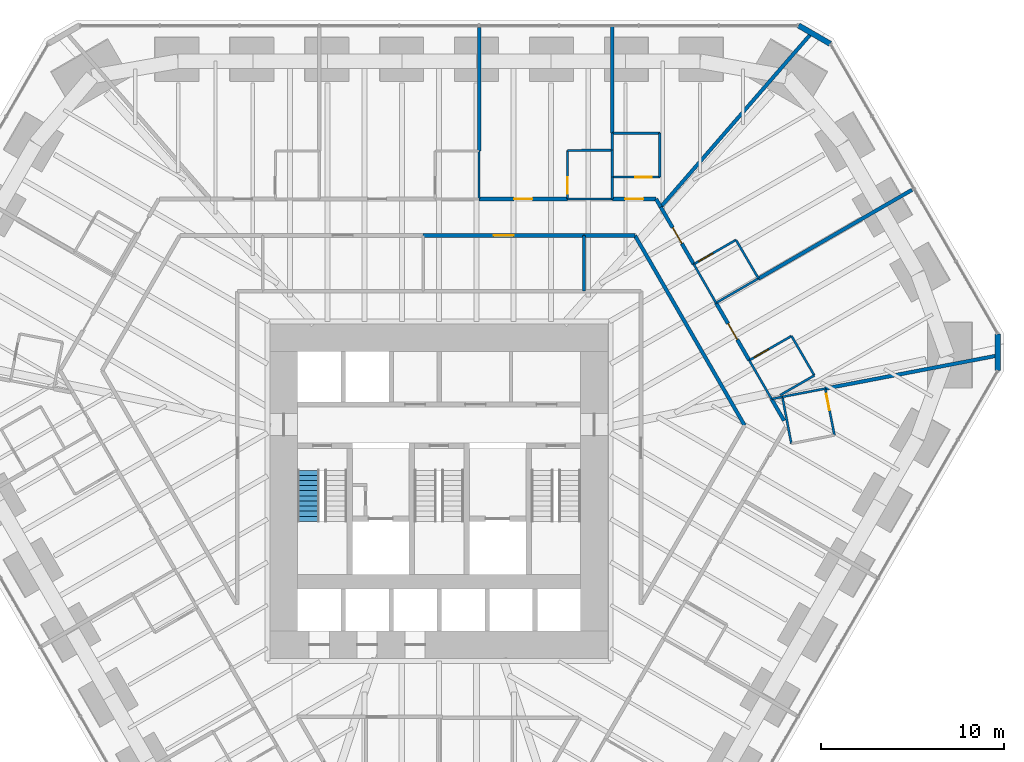
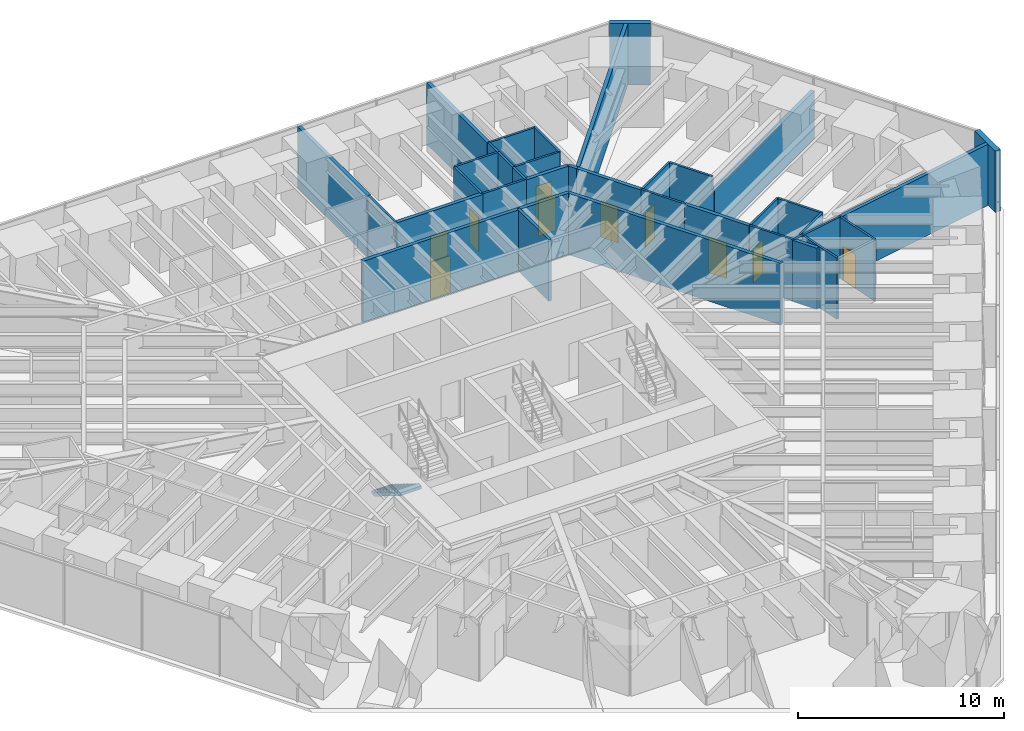
# One storey, part 15 of 17: 39 walls, 10 doors, 1 stair flight, 10 openings, 1 element without a shape of its own.
"""IFC4 building model written with IfcOpenShell, lengths in metres."""

from ifc_helpers import new_model, si_unit, direction, frame, frame_2d, origin, place, context, subcontext, project, spatial, polyline, rectangle, outline, extrude, material, layer, layer_set, type_object, element, fill, aggregate, save


model = new_model("IFC4")

# Units and contexts
model_context = context("Model", 3, precision=1e-05, world=origin(), true_north=direction((0.0, 1.0)))
body_context = subcontext(model_context, "Body", "Model", "MODEL_VIEW")
ifc_project = project(units=[si_unit("LENGTHUNIT", "METRE"), si_unit("AREAUNIT", "SQUARE_METRE"), si_unit("VOLUMEUNIT", "CUBIC_METRE"), si_unit("PLANEANGLEUNIT", "RADIAN"), si_unit("MASSUNIT", "GRAM", prefix="KILO")], contexts=[model_context])

# Site, building, storey
site_placement = place(None, origin())
site = spatial("IfcSite", under=ifc_project, at=site_placement, CompositionType="ELEMENT")
building_placement = place(site_placement, origin())
building = spatial("IfcBuilding", under=site, at=building_placement, Name="Sandreach Pilgrim Tower", CompositionType="ELEMENT")
storey_placement = place(building_placement, frame((0.0, 0.0, 72.39990234375)))
storey = spatial("IfcBuildingStorey", under=building, at=storey_placement, Name="L17", CompositionType="ELEMENT", Elevation=72.39990234375)

# Walls
ifc_material_1 = material(Name="Gypsum board on steel studs", Category="steel")
ifc_layer_1 = layer(ifc_material_1, 0.14990234375)
ifc_layer_set_1 = layer_set([ifc_layer_1], Name="Back of house wall 150")
wall_type_1 = type_object("IfcWallType", Name="Back of house wall 150", PredefinedType="PARTITIONING", material=ifc_layer_set_1)
wall_1_placement = place(storey_placement, frame((7.929931640625, 12.449951171875, 0.0), z_axis=(0.0, 0.0, 1.0), x_axis=(0.0, -1.0, 0.0)))
element("IfcWall", 1, at=wall_1_placement, inside=storey, type_object=wall_type_1, Name="Back of house wall L17-098", PredefinedType="PARTITIONING", context=body_context, shape_type="SweptSolid", body=[
    extrude(rectangle(XDim=3.050048828125, YDim=0.14990234375, at=frame_2d((1.52490234375, 0.0))), origin(), (0.0, 0.0, 1.0), 3.64013671875),
])
ifc_material_2 = material(Name="Moisture-resistant gypsum board on steel studs", Category="steel")
ifc_layer_2 = layer(ifc_material_2, 0.1201171875)
ifc_layer_set_2 = layer_set([ifc_layer_2], Name="Bathroom partition 120")
wall_type_2 = type_object("IfcWallType", Name="Bathroom partition 120", PredefinedType="PARTITIONING", material=ifc_layer_set_2)
wall_2_placement = place(storey_placement, frame((2.18994140625, 17.070068359375, 0.0), z_axis=(0.0, 0.0, 1.0), x_axis=(0.0, -1.0, 0.0)))
element("IfcWall", 2, at=wall_2_placement, inside=storey, type_object=wall_type_2, Name="Bathroom partition L17-079", PredefinedType="PARTITIONING", context=body_context, shape_type="SweptSolid", body=[
    extrude(rectangle(XDim=2.6201171875, YDim=0.1201171875, at=frame_2d((1.31005859375, 0.0))), origin(), (0.0, 0.0, 1.0), 3.64013671875),
])

# Wall, opening, door
wall_3_placement = place(storey_placement, frame((7.02001953125, 17.110107421875, 0.0), z_axis=(0.0, 0.0, 1.0), x_axis=(0.003762822113, -0.99999292056, 0.0)))
wall_3 = element("IfcWall", 3, at=wall_3_placement, inside=storey, type_object=wall_type_2, Name="Bathroom partition L17-090", PredefinedType="PARTITIONING", context=body_context, shape_type="SweptSolid", body=[
    extrude(rectangle(XDim=2.66015625, YDim=0.1201171875, at=frame_2d((1.330078125, 0.0))), origin(), (0.0, 0.0, 1.0), 3.64013671875),
])
opening_1_placement = place(wall_3_placement, frame((1.4599609375, 0.0, 0.0)))
opening_1 = element("IfcOpeningElement", 4, at=opening_1_placement, cuts=wall_3, Name="Opening D09-03B", PredefinedType="OPENING", context=body_context, shape_type="SweptSolid", body=[
    extrude(rectangle(XDim=0.89990234375, YDim=2.030029296875, at=frame_2d((0.449951171875, 1.01513671875))), frame((0.0, 0.06005859375, 0.0), z_axis=(0.0, -1.0, 0.0), x_axis=(1.0, 0.0, 0.0)), (0.0, 0.0, 1.0), 0.1201171875),
])
ifc_material_3 = material(Name="Timber door, steel frame", Category="steel")
door_type_1 = type_object("IfcDoorType", Name="Bathroom door", OperationType="SINGLE_SWING_LEFT", PredefinedType="DOOR", material=ifc_material_3)
door_1_placement = place(opening_1_placement, origin())
door_1 = element("IfcDoor", 5, at=door_1_placement, inside=storey, type_object=door_type_1, Name="Door 1703B", OperationType="SINGLE_SWING_RIGHT", OverallHeight=2.030029296875, OverallWidth=0.89990234375, PredefinedType="DOOR", context=body_context, shape_type="SweptSolid", body=[
    extrude(rectangle(XDim=0.89990234375, YDim=2.030029296875, at=frame_2d((0.449951171875, 1.01513671875))), frame((0.0, 0.02490234375, 0.0), z_axis=(0.0, -1.0, 0.0), x_axis=(1.0, 0.0, 0.0)), (0.0, 0.0, 1.0), 0.050048828125),
])
fill(opening_1, door_1)

# Walls
wall_4_placement = place(storey_placement, frame((9.47998046875, 14.449951171875, 0.0), z_axis=(0.0, 0.0, 1.0), x_axis=(-1.0, 0.0, 0.0)))
element("IfcWall", 6, at=wall_4_placement, inside=storey, type_object=wall_type_2, Name="Bathroom partition L17-103", PredefinedType="PARTITIONING", context=body_context, shape_type="SweptSolid", body=[
    extrude(rectangle(XDim=2.449951171875, YDim=0.1201171875, at=frame_2d((1.22509765625, 0.0))), origin(), (0.0, 0.0, 1.0), 3.64013671875),
])
wall_5_placement = place(storey_placement, frame((9.47998046875, 15.64990234375, 0.0), z_axis=(0.0, 0.0, 1.0), x_axis=(0.0, -1.0, 0.0)))
element("IfcWall", 7, at=wall_5_placement, inside=storey, type_object=wall_type_2, Name="Bathroom partition L17-104", PredefinedType="PARTITIONING", context=body_context, shape_type="SweptSolid", body=[
    extrude(rectangle(XDim=1.199951171875, YDim=0.1201171875, at=frame_2d((0.60009765625, 0.0))), origin(), (0.0, 0.0, 1.0), 3.64013671875),
])

# Wall, opening, door
wall_6_placement = place(storey_placement, frame((9.47998046875, 15.64990234375, 0.0), z_axis=(0.0, 0.0, 1.0), x_axis=(1.0, 0.0, 0.0)))
wall_6 = element("IfcWall", 8, at=wall_6_placement, inside=storey, type_object=wall_type_2, Name="Bathroom partition L17-105", PredefinedType="PARTITIONING", context=body_context, shape_type="SweptSolid", body=[
    extrude(rectangle(XDim=2.60009765625, YDim=0.1201171875, at=frame_2d((1.300048828125, 0.0))), origin(), (0.0, 0.0, 1.0), 3.64013671875),
])
opening_2_placement = place(wall_6_placement, frame((1.25, 0.0, 0.0)))
opening_2 = element("IfcOpeningElement", 9, at=opening_2_placement, cuts=wall_6, Name="Opening D09-04B", PredefinedType="OPENING", context=body_context, shape_type="SweptSolid", body=[
    extrude(rectangle(XDim=0.89990234375, YDim=2.030029296875, at=frame_2d((0.449951171875, 1.01513671875))), frame((0.0, 0.06005859375, 0.0), z_axis=(0.0, -1.0, 0.0), x_axis=(1.0, 0.0, 0.0)), (0.0, 0.0, 1.0), 0.1201171875),
])
door_2_placement = place(opening_2_placement, origin())
door_2 = element("IfcDoor", 10, at=door_2_placement, inside=storey, type_object=door_type_1, Name="Door 1704B", OperationType="SINGLE_SWING_RIGHT", OverallHeight=2.030029296875, OverallWidth=0.89990234375, PredefinedType="DOOR", context=body_context, shape_type="SweptSolid", body=[
    extrude(rectangle(XDim=0.89990234375, YDim=2.030029296875, at=frame_2d((0.449951171875, 1.01513671875))), frame((0.0, 0.02490234375, 0.0), z_axis=(0.0, -1.0, 0.0), x_axis=(1.0, 0.0, 0.0)), (0.0, 0.0, 1.0), 0.050048828125),
])
fill(opening_2, door_2)

# Walls
wall_7_placement = place(storey_placement, frame((9.47998046875, 17.1201171875, 0.0), z_axis=(0.0, 0.0, 1.0), x_axis=(-0.999991721417, -0.004069041344, 0.0)))
element("IfcWall", 11, at=wall_7_placement, inside=storey, type_object=wall_type_2, Name="Bathroom partition L17-106", PredefinedType="PARTITIONING", context=body_context, shape_type="SweptSolid", body=[
    extrude(rectangle(XDim=2.4599609375, YDim=0.1201171875, at=frame_2d((1.22998046875, 0.0))), origin(), (0.0, 0.0, 1.0), 3.64013671875),
])
wall_8_placement = place(storey_placement, frame((9.47998046875, 17.1201171875, 0.0), z_axis=(0.0, 0.0, 1.0), x_axis=(0.0, -1.0, 0.0)))
element("IfcWall", 12, at=wall_8_placement, inside=storey, type_object=wall_type_2, Name="Bathroom partition L17-107", PredefinedType="PARTITIONING", context=body_context, shape_type="SweptSolid", body=[
    extrude(rectangle(XDim=1.47021484375, YDim=0.1201171875, at=frame_2d((0.735107421875, 0.0))), origin(), (0.0, 0.0, 1.0), 3.64013671875),
])
wall_9_placement = place(storey_placement, frame((9.47998046875, 18.050048828125, 0.0), z_axis=(0.0, 0.0, 1.0), x_axis=(0.0, -1.0, 0.0)))
element("IfcWall", 13, at=wall_9_placement, inside=storey, type_object=wall_type_2, Name="Bathroom partition L17-108", PredefinedType="PARTITIONING", context=body_context, shape_type="SweptSolid", body=[
    extrude(rectangle(XDim=0.929931640625, YDim=0.1201171875, at=frame_2d((0.46484375, 0.0))), origin(), (0.0, 0.0, 1.0), 3.64013671875),
])
wall_10_placement = place(storey_placement, frame((12.080078125, 15.64990234375, 0.0), z_axis=(0.0, 0.0, 1.0), x_axis=(0.0, 1.0, 0.0)))
element("IfcWall", 14, at=wall_10_placement, inside=storey, type_object=wall_type_2, Name="Bathroom partition L17-122", PredefinedType="PARTITIONING", context=body_context, shape_type="SweptSolid", body=[
    extrude(rectangle(XDim=2.400146484375, YDim=0.1201171875, at=frame_2d((1.2001953125, 0.0))), origin(), (0.0, 0.0, 1.0), 3.64013671875),
])
wall_11_placement = place(storey_placement, frame((12.080078125, 18.050048828125, 0.0), z_axis=(0.0, 0.0, 1.0), x_axis=(-1.0, 0.0, 0.0)))
element("IfcWall", 15, at=wall_11_placement, inside=storey, type_object=wall_type_2, Name="Bathroom partition L17-123", PredefinedType="PARTITIONING", context=body_context, shape_type="SweptSolid", body=[
    extrude(rectangle(XDim=2.60009765625, YDim=0.1201171875, at=frame_2d((1.300048828125, 0.0))), origin(), (0.0, 0.0, 1.0), 3.64013671875),
])
wall_12_placement = place(storey_placement, frame((13.93994140625, 10.8798828125, 0.0), z_axis=(0.0, 0.0, 1.0), x_axis=(0.498791783817, -0.866721844883, 0.0)))
element("IfcWall", 16, at=wall_12_placement, inside=storey, type_object=wall_type_2, Name="Bathroom partition L17-128", PredefinedType="PARTITIONING", context=body_context, shape_type="SweptSolid", body=[
    extrude(rectangle(XDim=2.44580078125, YDim=0.1201171875, at=frame_2d((1.222900390625, 0.0))), origin(), (0.0, 0.0, 1.0), 3.64013671875),
])
wall_13_placement = place(storey_placement, frame((15.159912109375, 8.760009765625, 0.0), z_axis=(0.0, 0.0, 1.0), x_axis=(0.865929097586, 0.500166770141, 0.0)))
element("IfcWall", 17, at=wall_13_placement, inside=storey, type_object=wall_type_2, Name="Bathroom partition L17-132", PredefinedType="PARTITIONING", context=body_context, shape_type="SweptSolid", body=[
    extrude(rectangle(XDim=2.67919921875, YDim=0.1201171875, at=frame_2d((1.339599609375, 0.0))), origin(), (0.0, 0.0, 1.0), 2.8603515625),
])

# Wall, opening, door
wall_14_placement = place(storey_placement, frame((16.25, 12.2099609375, 0.0), z_axis=(0.0, 0.0, 1.0), x_axis=(-0.866654860089, -0.498908161372, 0.0)))
wall_14 = element("IfcWall", 18, at=wall_14_placement, inside=storey, type_object=wall_type_2, Name="Bathroom partition L17-134", PredefinedType="PARTITIONING", context=body_context, shape_type="SweptSolid", body=[
    extrude(rectangle(XDim=2.66552734375, YDim=0.1201171875, at=frame_2d((1.332763671875, 0.0))), origin(), (0.0, 0.0, 1.0), 3.64013671875),
])
opening_3_placement = place(wall_14_placement, frame((1.465576171875, 0.0, 0.0)))
opening_3 = element("IfcOpeningElement", 19, at=opening_3_placement, cuts=wall_14, Name="Opening D09-05B", PredefinedType="OPENING", context=body_context, shape_type="SweptSolid", body=[
    extrude(rectangle(XDim=0.89990234375, YDim=2.030029296875, at=frame_2d((0.449951171875, 1.01513671875))), frame((0.0, 0.06005859375, 0.0), z_axis=(0.0, -1.0, 0.0), x_axis=(1.0, 0.0, 0.0)), (0.0, 0.0, 1.0), 0.1201171875),
])
door_3_placement = place(opening_3_placement, origin())
door_3 = element("IfcDoor", 20, at=door_3_placement, inside=storey, type_object=door_type_1, Name="Door 1705B", OperationType="SINGLE_SWING_RIGHT", OverallHeight=2.030029296875, OverallWidth=0.89990234375, PredefinedType="DOOR", context=body_context, shape_type="SweptSolid", body=[
    extrude(rectangle(XDim=0.89990234375, YDim=2.030029296875, at=frame_2d((0.449951171875, 1.01513671875))), frame((0.0, 0.02490234375, 0.0), z_axis=(0.0, -1.0, 0.0), x_axis=(1.0, 0.0, 0.0)), (0.0, 0.0, 1.0), 0.050048828125),
])
fill(opening_3, door_3)

# Walls
wall_15_placement = place(storey_placement, frame((16.97802734375, 5.618896484375, 0.0), z_axis=(0.0, 0.0, 1.0), x_axis=(0.499489120551, -0.866320159324, 0.0)))
element("IfcWall", 21, at=wall_15_placement, inside=storey, type_object=wall_type_2, Name="Bathroom partition L17-137", PredefinedType="PARTITIONING", context=body_context, shape_type="SweptSolid", body=[
    extrude(rectangle(XDim=2.44580078125, YDim=0.1201171875, at=frame_2d((1.222900390625, 0.0))), origin(), (0.0, 0.0, 1.0), 3.64013671875),
])
wall_16_placement = place(storey_placement, frame((17.47998046875, 10.10009765625, 0.0), z_axis=(0.0, 0.0, 1.0), x_axis=(-0.503634814725, 0.863916647251, 0.0)))
element("IfcWall", 22, at=wall_16_placement, inside=storey, type_object=wall_type_2, Name="Bathroom partition L17-138", PredefinedType="PARTITIONING", context=body_context, shape_type="SweptSolid", body=[
    extrude(rectangle(XDim=2.442138671875, YDim=0.1201171875, at=frame_2d((1.22119140625, 0.0))), origin(), (0.0, 0.0, 1.0), 3.64013671875),
])
wall_17_placement = place(storey_placement, frame((18.234375, 3.507080078125, 0.0), z_axis=(0.0, 0.0, 1.0), x_axis=(0.979929535319, 0.199344189303, 0.0)))
element("IfcWall", 23, at=wall_17_placement, inside=storey, type_object=wall_type_2, Name="Bathroom partition L17-140", PredefinedType="PARTITIONING", context=body_context, shape_type="SweptSolid", body=[
    extrude(rectangle(XDim=0.567138671875, YDim=0.1201171875, at=frame_2d((0.28369140625, 0.0))), origin(), (0.0, 0.0, 1.0), 3.64013671875),
])
wall_18_placement = place(storey_placement, frame((18.67333984375, 3.714599609375, 0.0), z_axis=(0.0, 0.0, 1.0), x_axis=(0.866487294122, 0.499199127728, 0.0)))
element("IfcWall", 24, at=wall_18_placement, inside=storey, type_object=wall_type_2, Name="Bathroom partition L17-141", PredefinedType="PARTITIONING", context=body_context, shape_type="SweptSolid", body=[
    extrude(rectangle(XDim=2.154296875, YDim=0.1201171875, at=frame_2d((1.0771484375, 0.0))), origin(), (0.0, 0.0, 1.0), 3.64013671875),
])
wall_19_placement = place(storey_placement, frame((18.7900390625, 3.6201171875, 0.0), z_axis=(0.0, 0.0, 1.0), x_axis=(0.187985762814, -0.982171753299, 0.0)))
element("IfcWall", 25, at=wall_19_placement, inside=storey, type_object=wall_type_2, Name="Bathroom partition L17-142", PredefinedType="PARTITIONING", context=body_context, shape_type="SweptSolid", body=[
    extrude(rectangle(XDim=2.6064453125, YDim=0.1201171875, at=frame_2d((1.30322265625, 0.0))), origin(), (0.0, 0.0, 1.0), 3.64013671875),
])
wall_20_placement = place(storey_placement, frame((18.7900390625, 3.6201171875, 0.0), z_axis=(0.0, 0.0, 1.0), x_axis=(0.982156796014, 0.188063893512, 0.0)))
element("IfcWall", 26, at=wall_20_placement, inside=storey, type_object=wall_type_2, Name="Bathroom partition L17-143", PredefinedType="PARTITIONING", context=body_context, shape_type="SweptSolid", body=[
    extrude(rectangle(XDim=2.392578125, YDim=0.1201171875, at=frame_2d((1.1962890625, 0.0))), origin(), (0.0, 0.0, 1.0), 3.64013671875),
])

# Wall, opening, door
wall_21_placement = place(storey_placement, frame((19.2900390625, 6.949951171875, 0.0), z_axis=(0.0, 0.0, 1.0), x_axis=(-0.866654860089, -0.498908161372, 0.0)))
wall_21 = element("IfcWall", 27, at=wall_21_placement, inside=storey, type_object=wall_type_2, Name="Bathroom partition L17-145", PredefinedType="PARTITIONING", context=body_context, shape_type="SweptSolid", body=[
    extrude(rectangle(XDim=2.66552734375, YDim=0.1201171875, at=frame_2d((1.332763671875, 0.0))), origin(), (0.0, 0.0, 1.0), 3.64013671875),
])
opening_4_placement = place(wall_21_placement, frame((1.465576171875, 0.0, 0.0)))
opening_4 = element("IfcOpeningElement", 28, at=opening_4_placement, cuts=wall_21, Name="Opening D09-06B", PredefinedType="OPENING", context=body_context, shape_type="SweptSolid", body=[
    extrude(rectangle(XDim=0.89990234375, YDim=2.030029296875, at=frame_2d((0.449951171875, 1.01513671875))), frame((0.0, 0.06005859375, 0.0), z_axis=(0.0, -1.0, 0.0), x_axis=(1.0, 0.0, 0.0)), (0.0, 0.0, 1.0), 0.1201171875),
])
door_4_placement = place(opening_4_placement, origin())
door_4 = element("IfcDoor", 29, at=door_4_placement, inside=storey, type_object=door_type_1, Name="Door 1706B", OperationType="SINGLE_SWING_RIGHT", OverallHeight=2.030029296875, OverallWidth=0.89990234375, PredefinedType="DOOR", context=body_context, shape_type="SweptSolid", body=[
    extrude(rectangle(XDim=0.89990234375, YDim=2.030029296875, at=frame_2d((0.449951171875, 1.01513671875))), frame((0.0, 0.02490234375, 0.0), z_axis=(0.0, -1.0, 0.0), x_axis=(1.0, 0.0, 0.0)), (0.0, 0.0, 1.0), 0.050048828125),
])
fill(opening_4, door_4)

# Wall
wall_22_placement = place(storey_placement, frame((20.5400390625, 4.7900390625, 0.0), z_axis=(0.0, 0.0, 1.0), x_axis=(-0.500893576935, 0.865508881864, 0.0)))
element("IfcWall", 30, at=wall_22_placement, inside=storey, type_object=wall_type_2, Name="Bathroom partition L17-147", PredefinedType="PARTITIONING", context=body_context, shape_type="SweptSolid", body=[
    extrude(rectangle(XDim=2.49560546875, YDim=0.1201171875, at=frame_2d((1.247802734375, 0.0))), origin(), (0.0, 0.0, 1.0), 3.64013671875),
])

# Wall, opening, door
wall_23_placement = place(storey_placement, frame((21.639892578125, 1.52001953125, 0.0), z_axis=(0.0, 0.0, 1.0), x_axis=(-0.192410912787, 0.981314445344, 0.0)))
wall_23 = element("IfcWall", 31, at=wall_23_placement, inside=storey, type_object=wall_type_2, Name="Bathroom partition L17-149", PredefinedType="PARTITIONING", context=body_context, shape_type="SweptSolid", body=[
    extrude(rectangle(XDim=2.5986328125, YDim=0.1201171875, at=frame_2d((1.29931640625, 0.0))), origin(), (0.0, 0.0, 1.0), 3.64013671875),
])
opening_5_placement = place(wall_23_placement, frame((1.398681640625, 0.0, 0.0)))
opening_5 = element("IfcOpeningElement", 32, at=opening_5_placement, cuts=wall_23, Name="Opening D09-07B", PredefinedType="OPENING", context=body_context, shape_type="SweptSolid", body=[
    extrude(rectangle(XDim=0.89990234375, YDim=2.030029296875, at=frame_2d((0.449951171875, 1.01513671875))), frame((0.0, 0.06005859375, 0.0), z_axis=(0.0, -1.0, 0.0), x_axis=(1.0, 0.0, 0.0)), (0.0, 0.0, 1.0), 0.1201171875),
])
door_5_placement = place(opening_5_placement, origin())
door_5 = element("IfcDoor", 33, at=door_5_placement, inside=storey, type_object=door_type_1, Name="Door 1707B", OperationType="SINGLE_SWING_RIGHT", OverallHeight=2.030029296875, OverallWidth=0.89990234375, PredefinedType="DOOR", context=body_context, shape_type="SweptSolid", body=[
    extrude(rectangle(XDim=0.89990234375, YDim=2.030029296875, at=frame_2d((0.449951171875, 1.01513671875))), frame((0.0, 0.02490234375, 0.0), z_axis=(0.0, -1.0, 0.0), x_axis=(1.0, 0.0, 0.0)), (0.0, 0.0, 1.0), 0.050048828125),
])
fill(opening_5, door_5)

ifc_material_4 = material(Name="Gypsum board on steel studs, two layers each side", Category="steel")
ifc_layer_3 = layer(ifc_material_4, 0.199951171875)
ifc_layer_set_3 = layer_set([ifc_layer_3], Name="Corridor wall 200")
wall_type_3 = type_object("IfcWallType", Name="Corridor wall 200", PredefinedType="PARTITIONING", material=ifc_layer_set_3)
wall_24_placement = place(storey_placement, frame((-0.8701171875, 12.449951171875, 0.0), z_axis=(0.0, 0.0, 1.0), x_axis=(1.0, 0.0, 0.0)))
wall_24 = element("IfcWall", 34, at=wall_24_placement, inside=storey, type_object=wall_type_3, Name="Corridor wall L17-065", PredefinedType="PARTITIONING", context=body_context, shape_type="SweptSolid", body=[
    extrude(rectangle(XDim=8.800048828125, YDim=0.199951171875, at=frame_2d((4.39990234375, 0.0))), origin(), (0.0, 0.0, 1.0), 3.64013671875),
])
opening_6_placement = place(wall_24_placement, frame((3.85009765625, 0.0, 0.0)))
opening_6 = element("IfcOpeningElement", 35, at=opening_6_placement, cuts=wall_24, Name="Opening D11H-M03", PredefinedType="OPENING", context=body_context, shape_type="SweptSolid", body=[
    extrude(rectangle(XDim=1.10009765625, YDim=2.199951171875, at=frame_2d((0.550048828125, 1.10009765625))), frame((0.0, 0.10009765625, 0.0), z_axis=(0.0, -1.0, 0.0), x_axis=(1.0, 0.0, 0.0)), (0.0, 0.0, 1.0), 0.199951171875),
])
ifc_material_5 = material(Name="Steel door and frame", Category="steel")
door_type_2 = type_object("IfcDoorType", Name="Back of house door", OperationType="SINGLE_SWING_LEFT", PredefinedType="DOOR", material=ifc_material_5)
door_6_placement = place(opening_6_placement, origin())
door_6 = element("IfcDoor", 36, at=door_6_placement, inside=storey, type_object=door_type_2, Name="Door 17M03", OperationType="SINGLE_SWING_LEFT", OverallHeight=2.199951171875, OverallWidth=1.10009765625, PredefinedType="DOOR", context=body_context, shape_type="SweptSolid", body=[
    extrude(rectangle(XDim=1.10009765625, YDim=2.199951171875, at=frame_2d((0.550048828125, 1.10009765625))), frame((0.0, 0.02490234375, 0.0), z_axis=(0.0, -1.0, 0.0), x_axis=(1.0, 0.0, 0.0)), (0.0, 0.0, 1.0), 0.050048828125),
])
fill(opening_6, door_6)

wall_25_placement = place(storey_placement, frame((7.030029296875, 14.449951171875, 0.0), z_axis=(0.0, 0.0, 1.0), x_axis=(-1.0, 0.0, 0.0)))
wall_25 = element("IfcWall", 37, at=wall_25_placement, inside=storey, type_object=wall_type_3, Name="Corridor wall L17-091", PredefinedType="PARTITIONING", context=body_context, shape_type="SweptSolid", body=[
    extrude(rectangle(XDim=4.840087890625, YDim=0.199951171875, at=frame_2d((2.419921875, 0.0))), origin(), (0.0, 0.0, 1.0), 3.64013671875),
])
opening_7_placement = place(wall_25_placement, frame((1.919921875, 0.0, 0.0)))
opening_7 = element("IfcOpeningElement", 38, at=opening_7_placement, cuts=wall_25, Name="Opening D10-03", PredefinedType="OPENING", context=body_context, shape_type="SweptSolid", body=[
    extrude(rectangle(XDim=1.0, YDim=2.1298828125, at=frame_2d((0.5, 1.06494140625))), frame((0.0, 0.10009765625, 0.0), z_axis=(0.0, -1.0, 0.0), x_axis=(1.0, 0.0, 0.0)), (0.0, 0.0, 1.0), 0.199951171875),
])
ifc_material_6 = material(Name="Steel door and frame", Category="steel")
door_type_3 = type_object("IfcDoorType", Name="Guest room entry door", OperationType="SINGLE_SWING_LEFT", PredefinedType="DOOR", material=ifc_material_6)
door_7_placement = place(opening_7_placement, origin())
door_7 = element("IfcDoor", 39, at=door_7_placement, inside=storey, type_object=door_type_3, Name="Door 1703", OperationType="SINGLE_SWING_LEFT", OverallHeight=2.1298828125, OverallWidth=1.0, PredefinedType="DOOR", context=body_context, shape_type="SweptSolid", body=[
    extrude(rectangle(XDim=1.0, YDim=2.1298828125, at=frame_2d((0.5, 1.06494140625))), frame((0.0, 0.02490234375, 0.0), z_axis=(0.0, -1.0, 0.0), x_axis=(1.0, 0.0, 0.0)), (0.0, 0.0, 1.0), 0.050048828125),
])
fill(opening_7, door_7)

# Walls
wall_26_placement = place(storey_placement, frame((7.929931640625, 12.449951171875, 0.0), z_axis=(0.0, 0.0, 1.0), x_axis=(1.0, 0.0, 0.0)))
element("IfcWall", 40, at=wall_26_placement, inside=storey, type_object=wall_type_3, Name="Corridor wall L17-099", PredefinedType="PARTITIONING", context=body_context, shape_type="SweptSolid", body=[
    extrude(rectangle(XDim=2.7900390625, YDim=0.199951171875, at=frame_2d((1.39501953125, 0.0))), origin(), (0.0, 0.0, 1.0), 3.64013671875),
])
wall_27_placement = place(storey_placement, frame((10.719970703125, 12.449951171875, 0.0), z_axis=(0.0, 0.0, 1.0), x_axis=(0.500087057827, -0.86597513509, 0.0)))
element("IfcWall", 41, at=wall_27_placement, inside=storey, type_object=wall_type_3, Name="Corridor wall L17-115", PredefinedType="PARTITIONING", context=body_context, shape_type="SweptSolid", body=[
    extrude(rectangle(XDim=11.997802734375, YDim=0.199951171875, at=frame_2d((5.9990234375, 0.0))), origin(), (0.0, 0.0, 1.0), 3.64013671875),
])

# Wall, opening, door
wall_28_placement = place(storey_placement, frame((11.8798828125, 14.449951171875, 0.0), z_axis=(0.0, 0.0, 1.0), x_axis=(-1.0, 0.0, 0.0)))
wall_28 = element("IfcWall", 42, at=wall_28_placement, inside=storey, type_object=wall_type_3, Name="Corridor wall L17-120", PredefinedType="PARTITIONING", context=body_context, shape_type="SweptSolid", body=[
    extrude(rectangle(XDim=2.39990234375, YDim=0.199951171875, at=frame_2d((1.199951171875, 0.0))), origin(), (0.0, 0.0, 1.0), 3.64013671875),
])
opening_8_placement = place(wall_28_placement, frame((0.699951171875, 0.0, 0.0)))
opening_8 = element("IfcOpeningElement", 43, at=opening_8_placement, cuts=wall_28, Name="Opening D10-04", PredefinedType="OPENING", context=body_context, shape_type="SweptSolid", body=[
    extrude(rectangle(XDim=1.0, YDim=2.1298828125, at=frame_2d((0.5, 1.06494140625))), frame((0.0, 0.10009765625, 0.0), z_axis=(0.0, -1.0, 0.0), x_axis=(1.0, 0.0, 0.0)), (0.0, 0.0, 1.0), 0.199951171875),
])
door_8_placement = place(opening_8_placement, origin())
door_8 = element("IfcDoor", 44, at=door_8_placement, inside=storey, type_object=door_type_3, Name="Door 1704", OperationType="SINGLE_SWING_LEFT", OverallHeight=2.1298828125, OverallWidth=1.0, PredefinedType="DOOR", context=body_context, shape_type="SweptSolid", body=[
    extrude(rectangle(XDim=1.0, YDim=2.1298828125, at=frame_2d((0.5, 1.06494140625))), frame((0.0, 0.02490234375, 0.0), z_axis=(0.0, -1.0, 0.0), x_axis=(1.0, 0.0, 0.0)), (0.0, 0.0, 1.0), 0.050048828125),
])
fill(opening_8, door_8)

# Wall
wall_29_placement = place(storey_placement, frame((11.8798828125, 14.449951171875, 0.0), z_axis=(0.0, 0.0, 1.0), x_axis=(0.494423721727, -0.869221021026, 0.0)))
element("IfcWall", 45, at=wall_29_placement, inside=storey, type_object=wall_type_3, Name="Corridor wall L17-121", PredefinedType="PARTITIONING", context=body_context, shape_type="SweptSolid", body=[
    extrude(rectangle(XDim=0.506103515625, YDim=0.199951171875, at=frame_2d((0.2529296875, 0.0))), origin(), (0.0, 0.0, 1.0), 3.64013671875),
])

# Wall, opening, door
wall_30_placement = place(storey_placement, frame((12.1298828125, 14.010009765625, 0.0), z_axis=(0.0, 0.0, 1.0), x_axis=(0.500597042564, -0.865680426587, 0.0)))
wall_30 = element("IfcWall", 46, at=wall_30_placement, inside=storey, type_object=wall_type_3, Name="Corridor wall L17-124", PredefinedType="PARTITIONING", context=body_context, shape_type="SweptSolid", body=[
    extrude(rectangle(XDim=3.61572265625, YDim=0.199951171875, at=frame_2d((1.807861328125, 0.0))), origin(), (0.0, 0.0, 1.0), 3.64013671875),
])
opening_9_placement = place(wall_30_placement, frame((1.307861328125, 0.0, 0.0)))
opening_9 = element("IfcOpeningElement", 47, at=opening_9_placement, cuts=wall_30, Name="Opening D10-05", PredefinedType="OPENING", context=body_context, shape_type="SweptSolid", body=[
    extrude(rectangle(XDim=1.0, YDim=2.1298828125, at=frame_2d((0.5, 1.06494140625))), frame((0.0, 0.10009765625, 0.0), z_axis=(0.0, -1.0, 0.0), x_axis=(1.0, 0.0, 0.0)), (0.0, 0.0, 1.0), 0.199951171875),
])
door_9_placement = place(opening_9_placement, origin())
door_9 = element("IfcDoor", 48, at=door_9_placement, inside=storey, type_object=door_type_3, Name="Door 1705", OperationType="SINGLE_SWING_LEFT", OverallHeight=2.1298828125, OverallWidth=1.0, PredefinedType="DOOR", context=body_context, shape_type="SweptSolid", body=[
    extrude(rectangle(XDim=1.0, YDim=2.1298828125, at=frame_2d((0.5, 1.06494140625))), frame((0.0, 0.02490234375, 0.0), z_axis=(0.0, -1.0, 0.0), x_axis=(1.0, 0.0, 0.0)), (0.0, 0.0, 1.0), 0.050048828125),
])
fill(opening_9, door_9)

wall_31_placement = place(storey_placement, frame((15.159912109375, 8.760009765625, 0.0), z_axis=(0.0, 0.0, 1.0), x_axis=(0.500948763063, -0.865476941799, 0.0)))
wall_31 = element("IfcWall", 49, at=wall_31_placement, inside=storey, type_object=wall_type_3, Name="Corridor wall L17-131", PredefinedType="PARTITIONING", context=body_context, shape_type="SweptSolid", body=[
    extrude(rectangle(XDim=3.62939453125, YDim=0.199951171875, at=frame_2d((1.814697265625, 0.0))), origin(), (0.0, 0.0, 1.0), 3.64013671875),
])
opening_10_placement = place(wall_31_placement, frame((1.314697265625, 0.0, 0.0)))
opening_10 = element("IfcOpeningElement", 50, at=opening_10_placement, cuts=wall_31, Name="Opening D10-06", PredefinedType="OPENING", context=body_context, shape_type="SweptSolid", body=[
    extrude(rectangle(XDim=1.0, YDim=2.1298828125, at=frame_2d((0.5, 1.06494140625))), frame((0.0, 0.10009765625, 0.0), z_axis=(0.0, -1.0, 0.0), x_axis=(1.0, 0.0, 0.0)), (0.0, 0.0, 1.0), 0.199951171875),
])
door_10_placement = place(opening_10_placement, origin())
door_10 = element("IfcDoor", 51, at=door_10_placement, inside=storey, type_object=door_type_3, Name="Door 1706", OperationType="SINGLE_SWING_LEFT", OverallHeight=2.1298828125, OverallWidth=1.0, PredefinedType="DOOR", context=body_context, shape_type="SweptSolid", body=[
    extrude(rectangle(XDim=1.0, YDim=2.1298828125, at=frame_2d((0.5, 1.06494140625))), frame((0.0, 0.02490234375, 0.0), z_axis=(0.0, -1.0, 0.0), x_axis=(1.0, 0.0, 0.0)), (0.0, 0.0, 1.0), 0.050048828125),
])
fill(opening_10, door_10)

# Walls
wall_32_placement = place(storey_placement, frame((18.19970703125, 3.5, 0.0), z_axis=(0.0, 0.0, 1.0), x_axis=(0.499583827826, -0.866265547609, 0.0)))
element("IfcWall", 52, at=wall_32_placement, inside=storey, type_object=wall_type_3, Name="Corridor wall L17-139", PredefinedType="PARTITIONING", context=body_context, shape_type="SweptSolid", body=[
    extrude(rectangle(XDim=1.372314453125, YDim=0.199951171875, at=frame_2d((0.68603515625, 0.0))), origin(), (0.0, 0.0, 1.0), 3.64013671875),
])
ifc_material_7 = material(Name="Double steel stud acoustic wall, gypsum board", Category="steel")
ifc_layer_4 = layer(ifc_material_7, 0.199951171875)
ifc_layer_set_4 = layer_set([ifc_layer_4], Name="Party wall 200")
wall_type_4 = type_object("IfcWallType", Name="Party wall 200", PredefinedType="PARTITIONING", material=ifc_layer_set_4)
wall_33_placement = place(storey_placement, frame((2.18994140625, 23.830078125, 0.0), z_axis=(0.0, 0.0, 1.0), x_axis=(0.0, -1.0, 0.0)))
element("IfcWall", 53, at=wall_33_placement, inside=storey, type_object=wall_type_4, Name="Party wall L17-080", PredefinedType="PARTITIONING", context=body_context, shape_type="SweptSolid", body=[
    extrude(rectangle(XDim=6.760009765625, YDim=0.199951171875, at=frame_2d((3.3798828125, 0.0))), origin(), (0.0, 0.0, 1.0), 3.64013671875),
])
wall_34_placement = place(storey_placement, frame((9.47998046875, 23.919921875, 0.0), z_axis=(0.0, 0.0, 1.0), x_axis=(0.0, -1.0, 0.0)))
element("IfcWall", 54, at=wall_34_placement, inside=storey, type_object=wall_type_4, Name="Party wall L17-109", PredefinedType="PARTITIONING", context=body_context, shape_type="SweptSolid", body=[
    extrude(rectangle(XDim=5.869873046875, YDim=0.199951171875, at=frame_2d((2.93505859375, 0.0))), origin(), (0.0, 0.0, 1.0), 3.64013671875),
])
wall_35_placement = place(storey_placement, frame((20.400390625, 23.54736328125, 0.0), z_axis=(0.0, 0.0, 1.0), x_axis=(-0.655141271043, -0.755506396383, 0.0)))
element("IfcWall", 55, at=wall_35_placement, inside=storey, type_object=wall_type_4, Name="Party wall L17-146", PredefinedType="PARTITIONING", context=body_context, shape_type="SweptSolid", body=[
    extrude(rectangle(XDim=12.56884765625, YDim=0.199951171875, at=frame_2d((6.284423828125, 0.0))), origin(), (0.0, 0.0, 1.0), 3.64013671875),
])
wall_36_placement = place(storey_placement, frame((21.1396484375, 4.072265625, 0.0), z_axis=(0.0, 0.0, 1.0), x_axis=(0.982111792438, 0.188298770982, 0.0)))
element("IfcWall", 56, at=wall_36_placement, inside=storey, type_object=wall_type_4, Name="Party wall L17-148", PredefinedType="PARTITIONING", context=body_context, shape_type="SweptSolid", body=[
    extrude(rectangle(XDim=9.623046875, YDim=0.199951171875, at=frame_2d((4.8115234375, 0.0))), origin(), (0.0, 0.0, 1.0), 3.64013671875),
])
wall_37_placement = place(storey_placement, frame((25.88623046875, 14.949951171875, 0.0), z_axis=(0.0, 0.0, 1.0), x_axis=(-0.865734831114, -0.500502949238, 0.0)))
element("IfcWall", 57, at=wall_37_placement, inside=storey, type_object=wall_type_4, Name="Party wall L17-151", PredefinedType="PARTITIONING", context=body_context, shape_type="SweptSolid", body=[
    extrude(rectangle(XDim=9.7099609375, YDim=0.199951171875, at=frame_2d((4.85498046875, 0.0))), origin(), (0.0, 0.0, 1.0), 2.8603515625),
])
ifc_material_8 = material(Name="Terracotta rainscreen on concrete", Category="masonry")
ifc_layer_5 = layer(ifc_material_8, 0.300048828125)
ifc_layer_set_5 = layer_set([ifc_layer_5], Name="Terracotta chamfer pier")
wall_type_5 = type_object("IfcWallType", Name="Terracotta chamfer pier", PredefinedType="SOLIDWALL", material=ifc_layer_set_5)
for number, where, z_axis, x_axis, name in (
    (58, (19.672119140625, 23.94873046875, 0.0), (0.0, 0.0, 1.0), (0.866010750942, -0.50002537861, 0.0), "Chamfer pier L17 N"),
    (59, (30.576171875, 7.062255859375, 0.0), (0.0, 0.0, 1.0), (0.0, -1.0, 0.0), "Chamfer pier L17 NE"),
):
    element("IfcWall", number, at=place(storey_placement, frame(where, z_axis=z_axis, x_axis=x_axis)), inside=storey, type_object=wall_type_5, Name=name, PredefinedType="SOLIDWALL", context=body_context, shape_type="SweptSolid", body=[
        extrude(rectangle(XDim=2.0, YDim=0.300048828125, at=frame_2d((1.0, 0.0))), origin(), (0.0, 0.0, 1.0), 3.64013671875),
    ])

# Stair, stair flight
ifc_material_9 = material(Name="Concrete 8000 psi", Category="concrete")
stair_type = type_object("IfcStairType", Name="Core exit stair", PredefinedType="HALF_TURN_STAIR", material=ifc_material_9)
stair_placement = place(storey_placement, origin())
stair = element("IfcStair", 60, at=stair_placement, inside=storey, type_object=stair_type, Name="Exit stair ST1 L17", PredefinedType="HALF_TURN_STAIR")
ifc_material_10 = material(Name="Concrete 8000 psi", Category="concrete")
stair_flight_type = type_object("IfcStairFlightType", Name="Core stair flight 1200", PredefinedType="STRAIGHT", material=ifc_material_10)
stair_flight_placement = place(storey_placement, frame((-7.14990234375, -0.39990234375, 0.0), z_axis=(0.0, 0.0, 1.0), x_axis=(0.0, -1.0, 0.0)))
stair_flight = element("IfcStairFlight", 61, at=stair_flight_placement, type_object=stair_flight_type, Name="ST1 flight 1", NumberOfRisers=11, NumberOfTreads=10, PredefinedType="STRAIGHT", RiserHeight=0.172727273, TreadLength=0.28, context=body_context, shape_type="SweptSolid", body=[
    extrude(outline(polyline([(0.0, 0.0), (0.0, 0.172607421875), (0.280029296875, 0.172607421875), (0.280029296875, 0.345458984375), (0.56005859375, 0.345458984375), (0.56005859375, 0.51806640625), (0.840087890625, 0.51806640625), (0.840087890625, 0.69091796875), (1.1201171875, 0.69091796875), (1.1201171875, 0.863525390625), (1.39990234375, 0.863525390625), (1.39990234375, 1.036376953125), (1.679931640625, 1.036376953125), (1.679931640625, 1.208984375), (1.9599609375, 1.208984375), (1.9599609375, 1.3818359375), (2.239990234375, 1.3818359375), (2.239990234375, 1.554443359375), (2.52001953125, 1.554443359375), (2.52001953125, 1.727294921875), (2.800048828125, 1.727294921875), (2.800048828125, 1.89990234375), (2.800048828125, 1.551025390625), (0.285400390625, 0.0), (0.0, 0.0)])), frame((0.0, 0.60009765625, 0.0), z_axis=(0.0, -1.0, 0.0), x_axis=(1.0, 0.0, 0.0)), (0.0, 0.0, 1.0), 1.199951171875),
])
aggregate(stair, [stair_flight])

save(model, "model.ifc")
